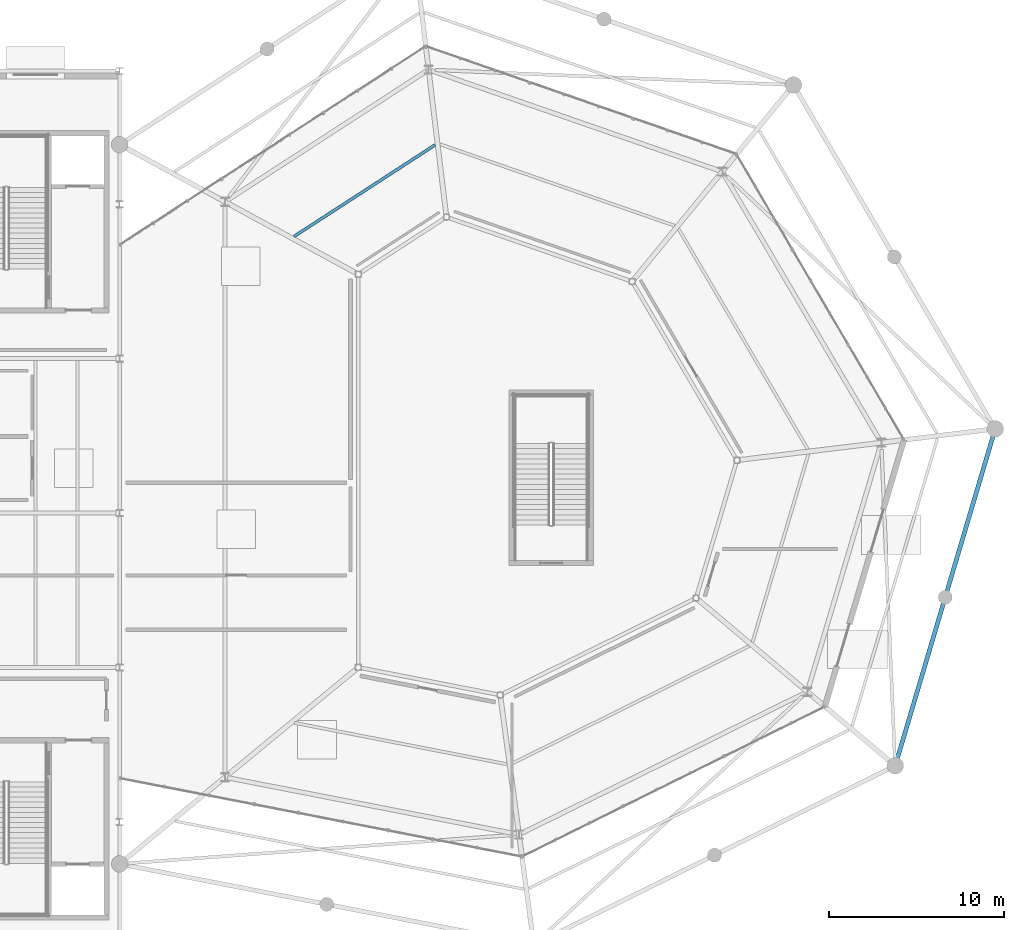
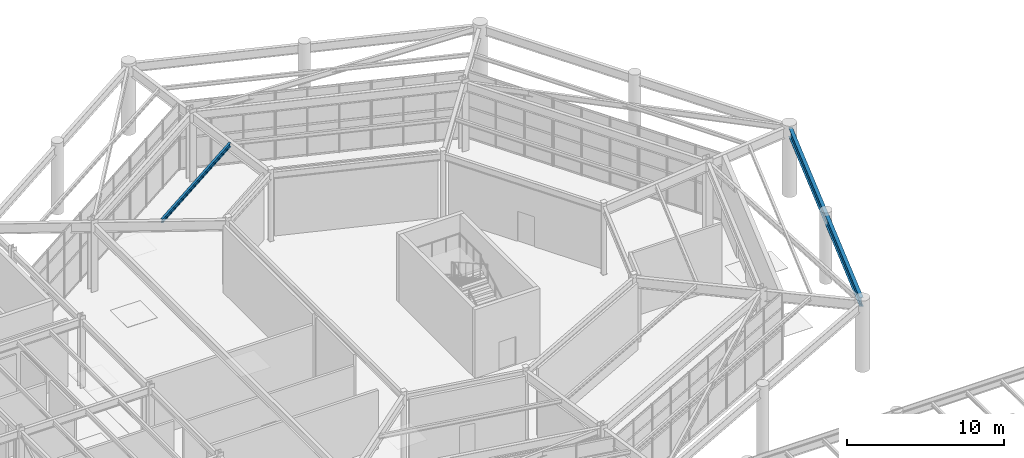
# One storey, part 35 of 70: 2 beams.
"""IFC4 building model written with IfcOpenShell, lengths in metres."""

from ifc_helpers import new_model, si_unit, direction, frame, origin, origin_2d, place, context, subcontext, project, spatial, i_section, extrude, material, material_profile, profile_set, type_object, element, save


model = new_model("IFC4")

# Units and contexts
model_context = context("Model", 3, precision=1e-05, world=origin(), true_north=direction((0.0, 1.0)))
body_context = subcontext(model_context, "Body", "Model", "MODEL_VIEW")
ifc_project = project(units=[si_unit("LENGTHUNIT", "METRE"), si_unit("AREAUNIT", "SQUARE_METRE"), si_unit("VOLUMEUNIT", "CUBIC_METRE"), si_unit("PLANEANGLEUNIT", "RADIAN"), si_unit("MASSUNIT", "GRAM", prefix="KILO")], contexts=[model_context])

# Site, building, storey
site_placement = place(None, origin())
site = spatial("IfcSite", under=ifc_project, at=site_placement, CompositionType="ELEMENT")
building_placement = place(site_placement, origin())
building = spatial("IfcBuilding", under=site, at=building_placement, Name="Sarnbrook Museum", CompositionType="ELEMENT")
storey_placement = place(building_placement, origin())
storey = spatial("IfcBuildingStorey", under=building, at=storey_placement, Name="L00", CompositionType="ELEMENT", Elevation=0.0)

# Beams
ifc_material_1 = material(Name="Structural Steel Grade 350L0 (AS/NZS 3678, fy = 340 MPa for 20 < t <= 40 mm)", Category="steel")
ifc_material_profile_1 = material_profile(ifc_material_1, i_section(OverallWidth=0.25, OverallDepth=0.699951171875, WebThickness=0.010009765625, FlangeThickness=0.01611328125, at=origin_2d()), Name="700WB130")
ifc_profile_set_1 = profile_set([ifc_material_profile_1], Name="Structural Steel Grade 350L0 (AS/NZS 3678, fy = 340 MPa for 20 < t <= 40 mm)")
beam_type_1 = type_object("IfcBeamType", Name="BM-WB700", PredefinedType="BEAM", material=ifc_profile_set_1)
beam_1_placement = place(storey_placement, frame((163.47119140625, 69.039794921875, 4.989990234375), z_axis=(0.284597390812, 0.958647132757, 0.0), x_axis=(-0.958647132757, 0.284597390812, 0.0)))
element("IfcBeam", 1, at=beam_1_placement, inside=storey, type_object=beam_type_1, Name="Crystal Hall Perimeter Ring Girder 3 L00", PredefinedType="BEAM", context=body_context, shape_type="SweptSolid", body=[
    extrude(i_section(OverallWidth=0.25, OverallDepth=0.699951171875, WebThickness=0.010009765625, FlangeThickness=0.01611328125, at=origin_2d()), origin(), (0.0, 0.0, 1.0), 19.528076171875),
])
ifc_material_2 = material(Name="Structural Steel Grade 300PLUS (AS/NZS 3679.1, fy = 280 MPa for 17 < t <= 40 mm, 300 MPa for t <= 17 mm)", Category="steel")
ifc_material_profile_2 = material_profile(ifc_material_2, i_section(OverallWidth=0.1650390625, OverallDepth=0.303955078125, WebThickness=0.006103515625, FlangeThickness=0.01025390625, FilletRadius=0.011474609375, at=origin_2d()), Name="310UB40.4")
ifc_profile_set_2 = profile_set([ifc_material_profile_2], Name="Structural Steel Grade 300PLUS (AS/NZS 3679.1, fy = 280 MPa for 17 < t <= 40 mm, 300 MPa for t <= 17 mm)")
beam_type_2 = type_object("IfcBeamType", Name="JS-UB310", PredefinedType="JOIST", material=ifc_profile_set_2)
beam_2_placement = place(storey_placement, frame((137.178955078125, 104.18310546875, 5.18798828125), z_axis=(-0.838887141633, -0.54430539553, 0.0), x_axis=(0.54430539553, -0.838887141633, 0.0)))
element("IfcBeam", 2, at=beam_2_placement, inside=storey, type_object=beam_type_2, Name="Crystal Hall Tangential Joist MI-6 L00", PredefinedType="JOIST", context=body_context, shape_type="SweptSolid", body=[
    extrude(i_section(OverallWidth=0.1650390625, OverallDepth=0.303955078125, WebThickness=0.006103515625, FlangeThickness=0.01025390625, FilletRadius=0.011474609375, at=origin_2d()), origin(), (0.0, 0.0, 1.0), 9.589599609375),
])

save(model, "model.ifc")
